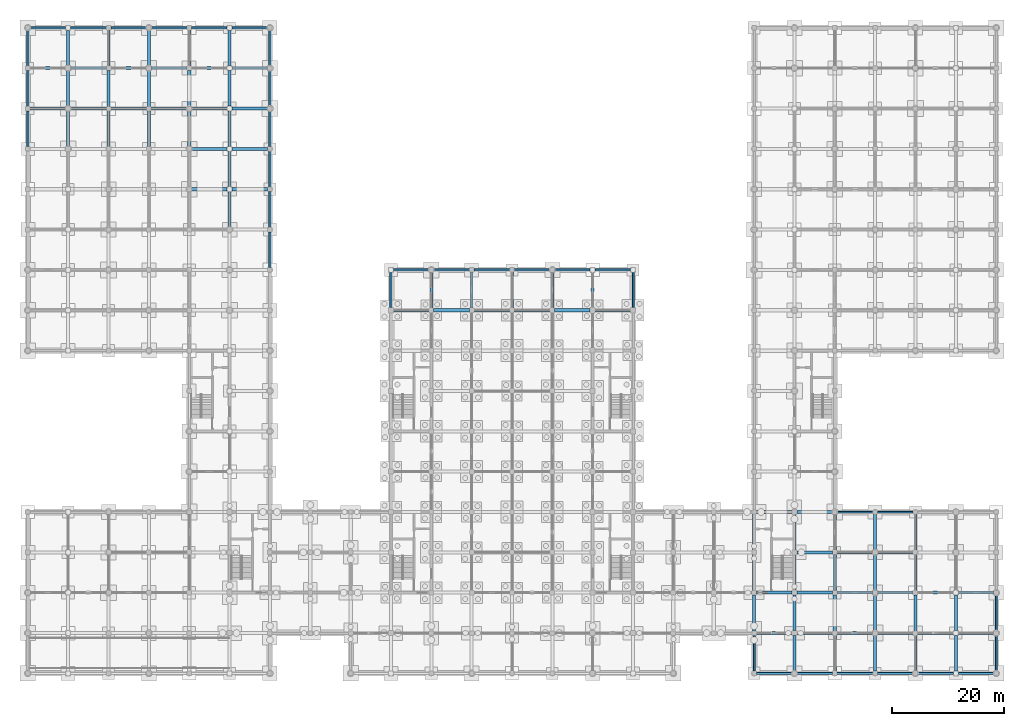
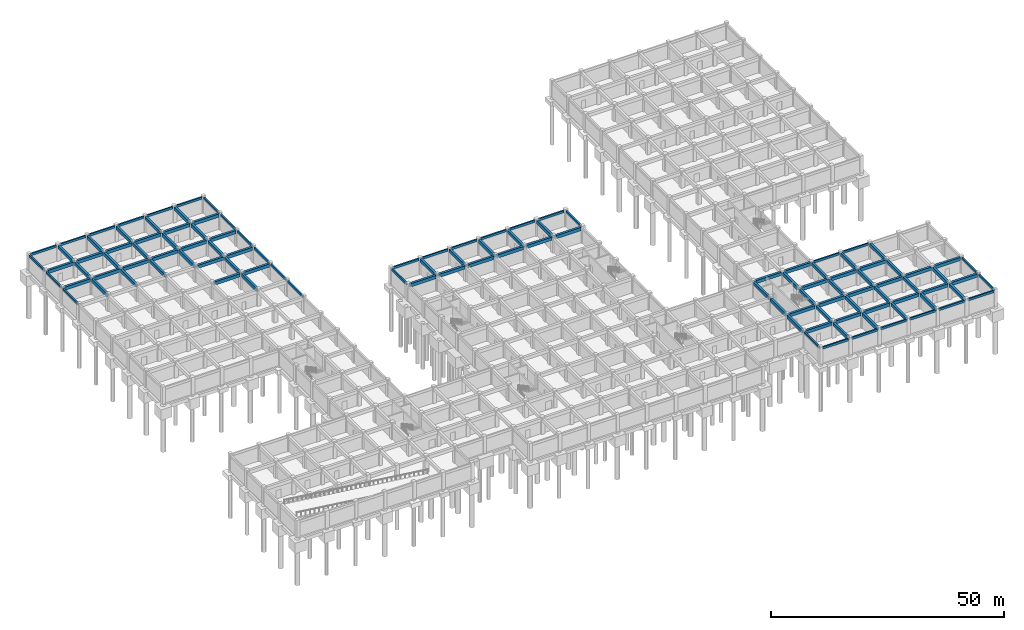
# One storey, part 11 of 25: 116 beams.
"""IFC4 building model written with IfcOpenShell, lengths in metres."""

from ifc_helpers import new_model, si_unit, direction, frame, origin, origin_2d, place, context, subcontext, project, spatial, rectangle, extrude, material, material_profile, profile_set, type_object, element, save


model = new_model("IFC4")

# Units and contexts
model_context = context("Model", 3, precision=1e-05, world=origin(), true_north=direction((0.0, 1.0)))
body_context = subcontext(model_context, "Body", "Model", "MODEL_VIEW")
ifc_project = project(units=[si_unit("LENGTHUNIT", "METRE"), si_unit("AREAUNIT", "SQUARE_METRE"), si_unit("VOLUMEUNIT", "CUBIC_METRE"), si_unit("PLANEANGLEUNIT", "RADIAN"), si_unit("MASSUNIT", "GRAM", prefix="KILO")], contexts=[model_context])

# Site, building, storey
site_placement = place(None, origin())
site = spatial("IfcSite", under=ifc_project, at=site_placement, CompositionType="ELEMENT")
building_placement = place(site_placement, origin())
building = spatial("IfcBuilding", under=site, at=building_placement, Name="Cendaluz Park School", CompositionType="ELEMENT")
storey_placement = place(building_placement, frame((0.0, 0.0, -4.5)))
storey = spatial("IfcBuildingStorey", under=building, at=storey_placement, Name="B1", CompositionType="ELEMENT", Elevation=-4.5)

# Beams
ifc_material = material(Name="Concrete C40/50", Category="concrete")
ifc_material_profile_1 = material_profile(ifc_material, rectangle(XDim=0.550048828125, YDim=0.85009765625, at=origin_2d()), Name="RC 550x850", Category="concrete")
ifc_profile_set_1 = profile_set([ifc_material_profile_1], Name="Concrete C40/50")
beam_type_1 = type_object("IfcBeamType", Name="BM-RC01", PredefinedType="BEAM", material=ifc_profile_set_1)
for number, where, z_axis, x_axis, name in (
    (1, (0.39990234375, 100.800048828125, 3.72509765625), (1.0, 0.0, 0.0), (0.0, 1.0, 0.0), "BM-B1-BMRC01-0012"),
    (2, (0.39990234375, 108.0, 3.72509765625), (1.0, 0.0, 0.0), (0.0, 1.0, 0.0), "BM-B1-BMRC01-0013"),
    (3, (7.64990234375, 100.800048828125, 3.72509765625), (1.0, 0.0, 0.0), (0.0, 1.0, 0.0), "BM-B1-BMRC01-0026"),
    (4, (7.64990234375, 108.0, 3.72509765625), (1.0, 0.0, 0.0), (0.0, 1.0, 0.0), "BM-B1-BMRC01-0027"),
):
    element("IfcBeam", number, at=place(storey_placement, frame(where, z_axis=z_axis, x_axis=x_axis)), inside=storey, type_object=beam_type_1, Name=name, PredefinedType="BEAM", context=body_context, shape_type="SweptSolid", body=[
        extrude(rectangle(XDim=0.550048828125, YDim=0.85009765625, at=origin_2d()), origin(), (0.0, 0.0, 1.0), 6.35009765625),
    ])
for number, where, z_axis, x_axis, name in (
    (5, (14.800048828125, 100.800048828125, 3.72509765625), (1.0, 0.0, 0.0), (0.0, 1.0, 0.0), "BM-B1-BMRC01-0040"),
    (6, (14.800048828125, 108.0, 3.72509765625), (1.0, 0.0, 0.0), (0.0, 1.0, 0.0), "BM-B1-BMRC01-0041"),
    (7, (22.0, 100.800048828125, 3.72509765625), (1.0, 0.0, 0.0), (0.0, 1.0, 0.0), "BM-B1-BMRC01-0054"),
    (8, (22.0, 108.0, 3.72509765625), (1.0, 0.0, 0.0), (0.0, 1.0, 0.0), "BM-B1-BMRC01-0055"),
):
    element("IfcBeam", number, at=place(storey_placement, frame(where, z_axis=z_axis, x_axis=x_axis)), inside=storey, type_object=beam_type_1, Name=name, PredefinedType="BEAM", context=body_context, shape_type="SweptSolid", body=[
        extrude(rectangle(XDim=0.550048828125, YDim=0.85009765625, at=origin_2d()), origin(), (0.0, 0.0, 1.0), 6.39990234375),
    ])
for number, where, z_axis, x_axis, name in (
    (9, (29.199951171875, 86.39990234375, 3.72509765625), (1.0, 0.0, 0.0), (0.0, 1.0, 0.0), "BM-B1-BMRC01-0068"),
    (10, (29.199951171875, 93.60009765625, 3.72509765625), (1.0, 0.0, 0.0), (0.0, 1.0, 0.0), "BM-B1-BMRC01-0069"),
    (11, (29.199951171875, 100.800048828125, 3.72509765625), (1.0, 0.0, 0.0), (0.0, 1.0, 0.0), "BM-B1-BMRC01-0070"),
    (12, (29.199951171875, 108.0, 3.72509765625), (1.0, 0.0, 0.0), (0.0, 1.0, 0.0), "BM-B1-BMRC01-0071"),
    (13, (36.449951171875, 86.39990234375, 3.72509765625), (1.0, 0.0, 0.0), (0.0, 1.0, 0.0), "BM-B1-BMRC01-0084"),
    (14, (36.449951171875, 93.60009765625, 3.72509765625), (1.0, 0.0, 0.0), (0.0, 1.0, 0.0), "BM-B1-BMRC01-0085"),
    (15, (36.449951171875, 100.800048828125, 3.72509765625), (1.0, 0.0, 0.0), (0.0, 1.0, 0.0), "BM-B1-BMRC01-0086"),
    (16, (36.449951171875, 108.0, 3.72509765625), (1.0, 0.0, 0.0), (0.0, 1.0, 0.0), "BM-B1-BMRC01-0087"),
    (17, (65.25, 64.800048828125, 3.72509765625), (1.0, 0.0, 0.0), (0.0, 1.0, 0.0), "BM-B1-BMRC01-0109"),
):
    element("IfcBeam", number, at=place(storey_placement, frame(where, z_axis=z_axis, x_axis=x_axis)), inside=storey, type_object=beam_type_1, Name=name, PredefinedType="BEAM", context=body_context, shape_type="SweptSolid", body=[
        extrude(rectangle(XDim=0.550048828125, YDim=0.85009765625, at=origin_2d()), origin(), (0.0, 0.0, 1.0), 6.35009765625),
    ])
beam_1_placement = place(storey_placement, frame((72.39990234375, 64.800048828125, 3.72509765625), z_axis=(1.0, 0.0, 0.0), x_axis=(0.0, 1.0, 0.0)))
element("IfcBeam", 18, at=beam_1_placement, inside=storey, type_object=beam_type_1, Name="BM-B1-BMRC01-0120", PredefinedType="BEAM", context=body_context, shape_type="SweptSolid", body=[
    extrude(rectangle(XDim=0.550048828125, YDim=0.85009765625, at=origin_2d()), origin(), (0.0, 0.0, 1.0), 6.400146484375),
])
for number, where, z_axis, x_axis, name in (
    (19, (79.60009765625, 64.800048828125, 3.72509765625), (1.0, 0.0, 0.0), (0.0, 1.0, 0.0), "BM-B1-BMRC01-0131"),
    (20, (86.800048828125, 64.800048828125, 3.72509765625), (1.0, 0.0, 0.0), (0.0, 1.0, 0.0), "BM-B1-BMRC01-0142"),
):
    element("IfcBeam", number, at=place(storey_placement, frame(where, z_axis=z_axis, x_axis=x_axis)), inside=storey, type_object=beam_type_1, Name=name, PredefinedType="BEAM", context=body_context, shape_type="SweptSolid", body=[
        extrude(rectangle(XDim=0.550048828125, YDim=0.85009765625, at=origin_2d()), origin(), (0.0, 0.0, 1.0), 6.39990234375),
    ])
beam_2_placement = place(storey_placement, frame((94.0, 64.800048828125, 3.72509765625), z_axis=(1.0, 0.0, 0.0), x_axis=(0.0, 1.0, 0.0)))
element("IfcBeam", 21, at=beam_2_placement, inside=storey, type_object=beam_type_1, Name="BM-B1-BMRC01-0153", PredefinedType="BEAM", context=body_context, shape_type="SweptSolid", body=[
    extrude(rectangle(XDim=0.550048828125, YDim=0.85009765625, at=origin_2d()), origin(), (0.0, 0.0, 1.0), 6.35009765625),
])
beam_3_placement = place(storey_placement, frame((101.25, 64.800048828125, 3.72509765625), z_axis=(1.0, 0.0, 0.0), x_axis=(0.0, 1.0, 0.0)))
element("IfcBeam", 22, at=beam_3_placement, inside=storey, type_object=beam_type_1, Name="BM-B1-BMRC01-0162", PredefinedType="BEAM", context=body_context, shape_type="SweptSolid", body=[
    extrude(rectangle(XDim=0.550048828125, YDim=0.85009765625, at=origin_2d()), origin(), (0.0, 0.0, 1.0), 6.300048828125),
])
for number, where, z_axis, x_axis, name in (
    (23, (130.0, 7.199951171875, 3.72509765625), (1.0, 0.0, 0.0), (0.0, 1.0, 0.0), "BM-B1-BMRC01-0178"),
    (24, (130.0, 14.39990234375, 3.72509765625), (1.0, 0.0, 0.0), (0.0, 1.0, 0.0), "BM-B1-BMRC01-0179"),
    (25, (130.0, 28.800048828125, 3.72509765625), (1.0, 0.0, 0.0), (0.0, 1.0, 0.0), "BM-B1-BMRC01-0180"),
    (26, (137.25, 7.199951171875, 3.72509765625), (1.0, 0.0, 0.0), (0.0, 1.0, 0.0), "BM-B1-BMRC01-0194"),
    (27, (137.25, 14.39990234375, 3.72509765625), (1.0, 0.0, 0.0), (0.0, 1.0, 0.0), "BM-B1-BMRC01-0195"),
    (28, (137.25, 21.60009765625, 3.72509765625), (1.0, 0.0, 0.0), (0.0, 1.0, 0.0), "BM-B1-BMRC01-0196"),
    (29, (137.25, 28.800048828125, 3.72509765625), (1.0, 0.0, 0.0), (0.0, 1.0, 0.0), "BM-B1-BMRC01-0197"),
):
    element("IfcBeam", number, at=place(storey_placement, frame(where, z_axis=z_axis, x_axis=x_axis)), inside=storey, type_object=beam_type_1, Name=name, PredefinedType="BEAM", context=body_context, shape_type="SweptSolid", body=[
        extrude(rectangle(XDim=0.550048828125, YDim=0.85009765625, at=origin_2d()), origin(), (0.0, 0.0, 1.0), 6.35009765625),
    ])
for number, where, z_axis, x_axis, name in (
    (30, (144.39990234375, 7.199951171875, 3.72509765625), (1.0, 0.0, 0.0), (0.0, 1.0, 0.0), "BM-B1-BMRC01-0210"),
    (31, (144.39990234375, 14.39990234375, 3.72509765625), (1.0, 0.0, 0.0), (0.0, 1.0, 0.0), "BM-B1-BMRC01-0211"),
    (32, (144.39990234375, 21.60009765625, 3.72509765625), (1.0, 0.0, 0.0), (0.0, 1.0, 0.0), "BM-B1-BMRC01-0212"),
):
    element("IfcBeam", number, at=place(storey_placement, frame(where, z_axis=z_axis, x_axis=x_axis)), inside=storey, type_object=beam_type_1, Name=name, PredefinedType="BEAM", context=body_context, shape_type="SweptSolid", body=[
        extrude(rectangle(XDim=0.550048828125, YDim=0.85009765625, at=origin_2d()), origin(), (0.0, 0.0, 1.0), 6.400146484375),
    ])
for number, where, z_axis, x_axis, name in (
    (33, (151.60009765625, 7.199951171875, 3.72509765625), (1.0, 0.0, 0.0), (0.0, 1.0, 0.0), "BM-B1-BMRC01-0224"),
    (34, (151.60009765625, 14.39990234375, 3.72509765625), (1.0, 0.0, 0.0), (0.0, 1.0, 0.0), "BM-B1-BMRC01-0225"),
    (35, (151.60009765625, 21.60009765625, 3.72509765625), (1.0, 0.0, 0.0), (0.0, 1.0, 0.0), "BM-B1-BMRC01-0226"),
):
    element("IfcBeam", number, at=place(storey_placement, frame(where, z_axis=z_axis, x_axis=x_axis)), inside=storey, type_object=beam_type_1, Name=name, PredefinedType="BEAM", context=body_context, shape_type="SweptSolid", body=[
        extrude(rectangle(XDim=0.550048828125, YDim=0.85009765625, at=origin_2d()), origin(), (0.0, 0.0, 1.0), 6.39990234375),
    ])
for number, where, z_axis, x_axis, name in (
    (36, (158.800048828125, 7.199951171875, 3.72509765625), (1.0, 0.0, 0.0), (0.0, 1.0, 0.0), "BM-B1-BMRC01-0238"),
    (37, (158.800048828125, 14.39990234375, 3.72509765625), (1.0, 0.0, 0.0), (0.0, 1.0, 0.0), "BM-B1-BMRC01-0239"),
    (38, (166.050048828125, 7.199951171875, 3.72509765625), (1.0, 0.0, 0.0), (0.0, 1.0, 0.0), "BM-B1-BMRC01-0252"),
    (39, (166.050048828125, 14.39990234375, 3.72509765625), (1.0, 0.0, 0.0), (0.0, 1.0, 0.0), "BM-B1-BMRC01-0253"),
):
    element("IfcBeam", number, at=place(storey_placement, frame(where, z_axis=z_axis, x_axis=x_axis)), inside=storey, type_object=beam_type_1, Name=name, PredefinedType="BEAM", context=body_context, shape_type="SweptSolid", body=[
        extrude(rectangle(XDim=0.550048828125, YDim=0.85009765625, at=origin_2d()), origin(), (0.0, 0.0, 1.0), 6.349853515625),
    ])
for number, where, z_axis, x_axis, name in (
    (40, (7.199951171875, 94.050048828125, 3.72509765625), (0.0, 1.0, 0.0), (-1.0, 0.0, 0.0), "BM-B1-BMRC01-0285"),
    (41, (7.199951171875, 101.25, 3.72509765625), (0.0, 1.0, 0.0), (-1.0, 0.0, 0.0), "BM-B1-BMRC01-0286"),
    (42, (7.199951171875, 108.449951171875, 3.72509765625), (0.0, 1.0, 0.0), (-1.0, 0.0, 0.0), "BM-B1-BMRC01-0287"),
):
    element("IfcBeam", number, at=place(storey_placement, frame(where, z_axis=z_axis, x_axis=x_axis)), inside=storey, type_object=beam_type_1, Name=name, PredefinedType="BEAM", context=body_context, shape_type="SweptSolid", body=[
        extrude(rectangle(XDim=0.550048828125, YDim=0.85009765625, at=origin_2d()), origin(), (0.0, 0.0, 1.0), 6.300048828125),
    ])
beam_4_placement = place(storey_placement, frame((14.39990234375, 94.0, 3.72509765625), z_axis=(0.0, 1.0, 0.0), x_axis=(-1.0, 0.0, 0.0)))
element("IfcBeam", 43, at=beam_4_placement, inside=storey, type_object=beam_type_1, Name="BM-B1-BMRC01-0297", PredefinedType="BEAM", context=body_context, shape_type="SweptSolid", body=[
    extrude(rectangle(XDim=0.550048828125, YDim=0.85009765625, at=origin_2d()), origin(), (0.0, 0.0, 1.0), 6.39990234375),
])
for number, where, z_axis, x_axis, name in (
    (44, (14.39990234375, 101.199951171875, 3.72509765625), (0.0, 1.0, 0.0), (-1.0, 0.0, 0.0), "BM-B1-BMRC01-0298"),
    (45, (14.39990234375, 108.39990234375, 3.72509765625), (0.0, 1.0, 0.0), (-1.0, 0.0, 0.0), "BM-B1-BMRC01-0299"),
):
    element("IfcBeam", number, at=place(storey_placement, frame(where, z_axis=z_axis, x_axis=x_axis)), inside=storey, type_object=beam_type_1, Name=name, PredefinedType="BEAM", context=body_context, shape_type="SweptSolid", body=[
        extrude(rectangle(XDim=0.550048828125, YDim=0.85009765625, at=origin_2d()), origin(), (0.0, 0.0, 1.0), 6.400146484375),
    ])
beam_5_placement = place(storey_placement, frame((21.60009765625, 94.0, 3.72509765625), z_axis=(0.0, 1.0, 0.0), x_axis=(-1.0, 0.0, 0.0)))
element("IfcBeam", 46, at=beam_5_placement, inside=storey, type_object=beam_type_1, Name="BM-B1-BMRC01-0309", PredefinedType="BEAM", context=body_context, shape_type="SweptSolid", body=[
    extrude(rectangle(XDim=0.550048828125, YDim=0.85009765625, at=origin_2d()), origin(), (0.0, 0.0, 1.0), 6.39990234375),
])
for number, where, z_axis, x_axis, name in (
    (47, (21.60009765625, 101.199951171875, 3.72509765625), (0.0, 1.0, 0.0), (-1.0, 0.0, 0.0), "BM-B1-BMRC01-0310"),
    (48, (21.60009765625, 108.39990234375, 3.72509765625), (0.0, 1.0, 0.0), (-1.0, 0.0, 0.0), "BM-B1-BMRC01-0311"),
):
    element("IfcBeam", number, at=place(storey_placement, frame(where, z_axis=z_axis, x_axis=x_axis)), inside=storey, type_object=beam_type_1, Name=name, PredefinedType="BEAM", context=body_context, shape_type="SweptSolid", body=[
        extrude(rectangle(XDim=0.550048828125, YDim=0.85009765625, at=origin_2d()), origin(), (0.0, 0.0, 1.0), 6.400146484375),
    ])
beam_6_placement = place(storey_placement, frame((28.800048828125, 94.0, 3.72509765625), z_axis=(0.0, 1.0, 0.0), x_axis=(-1.0, 0.0, 0.0)))
element("IfcBeam", 49, at=beam_6_placement, inside=storey, type_object=beam_type_1, Name="BM-B1-BMRC01-0325", PredefinedType="BEAM", context=body_context, shape_type="SweptSolid", body=[
    extrude(rectangle(XDim=0.550048828125, YDim=0.85009765625, at=origin_2d()), origin(), (0.0, 0.0, 1.0), 6.39990234375),
])
for number, where, z_axis, x_axis, name in (
    (50, (28.800048828125, 101.199951171875, 3.72509765625), (0.0, 1.0, 0.0), (-1.0, 0.0, 0.0), "BM-B1-BMRC01-0326"),
    (51, (28.800048828125, 108.39990234375, 3.72509765625), (0.0, 1.0, 0.0), (-1.0, 0.0, 0.0), "BM-B1-BMRC01-0327"),
):
    element("IfcBeam", number, at=place(storey_placement, frame(where, z_axis=z_axis, x_axis=x_axis)), inside=storey, type_object=beam_type_1, Name=name, PredefinedType="BEAM", context=body_context, shape_type="SweptSolid", body=[
        extrude(rectangle(XDim=0.550048828125, YDim=0.85009765625, at=origin_2d()), origin(), (0.0, 0.0, 1.0), 6.400146484375),
    ])
beam_7_placement = place(storey_placement, frame((36.0, 79.64990234375, 3.72509765625), z_axis=(0.0, 1.0, 0.0), x_axis=(-1.0, 0.0, 0.0)))
element("IfcBeam", 52, at=beam_7_placement, inside=storey, type_object=beam_type_1, Name="BM-B1-BMRC01-0339", PredefinedType="BEAM", context=body_context, shape_type="SweptSolid", body=[
    extrude(rectangle(XDim=0.550048828125, YDim=0.85009765625, at=origin_2d()), origin(), (0.0, 0.0, 1.0), 6.300048828125),
])
beam_8_placement = place(storey_placement, frame((36.0, 86.85009765625, 3.72509765625), z_axis=(0.0, 1.0, 0.0), x_axis=(-1.0, 0.0, 0.0)))
element("IfcBeam", 53, at=beam_8_placement, inside=storey, type_object=beam_type_1, Name="BM-B1-BMRC01-0340", PredefinedType="BEAM", context=body_context, shape_type="SweptSolid", body=[
    extrude(rectangle(XDim=0.550048828125, YDim=0.85009765625, at=origin_2d()), origin(), (0.0, 0.0, 1.0), 6.2998046875),
])
for number, where, z_axis, x_axis, name in (
    (54, (36.0, 94.050048828125, 3.72509765625), (0.0, 1.0, 0.0), (-1.0, 0.0, 0.0), "BM-B1-BMRC01-0341"),
    (55, (36.0, 101.25, 3.72509765625), (0.0, 1.0, 0.0), (-1.0, 0.0, 0.0), "BM-B1-BMRC01-0342"),
    (56, (36.0, 108.449951171875, 3.72509765625), (0.0, 1.0, 0.0), (-1.0, 0.0, 0.0), "BM-B1-BMRC01-0343"),
):
    element("IfcBeam", number, at=place(storey_placement, frame(where, z_axis=z_axis, x_axis=x_axis)), inside=storey, type_object=beam_type_1, Name=name, PredefinedType="BEAM", context=body_context, shape_type="SweptSolid", body=[
        extrude(rectangle(XDim=0.550048828125, YDim=0.85009765625, at=origin_2d()), origin(), (0.0, 0.0, 1.0), 6.300048828125),
    ])
for number, where, z_axis, x_axis, name in (
    (57, (72.0, 65.199951171875, 3.72509765625), (0.0, 1.0, 0.0), (-1.0, 0.0, 0.0), "BM-B1-BMRC01-0386"),
    (58, (79.199951171875, 65.199951171875, 3.72509765625), (0.0, 1.0, 0.0), (-1.0, 0.0, 0.0), "BM-B1-BMRC01-0396"),
    (59, (86.39990234375, 65.199951171875, 3.72509765625), (0.0, 1.0, 0.0), (-1.0, 0.0, 0.0), "BM-B1-BMRC01-0406"),
    (60, (93.60009765625, 65.199951171875, 3.72509765625), (0.0, 1.0, 0.0), (-1.0, 0.0, 0.0), "BM-B1-BMRC01-0416"),
):
    element("IfcBeam", number, at=place(storey_placement, frame(where, z_axis=z_axis, x_axis=x_axis)), inside=storey, type_object=beam_type_1, Name=name, PredefinedType="BEAM", context=body_context, shape_type="SweptSolid", body=[
        extrude(rectangle(XDim=0.550048828125, YDim=0.85009765625, at=origin_2d()), origin(), (0.0, 0.0, 1.0), 6.400146484375),
    ])
beam_9_placement = place(storey_placement, frame((100.800048828125, 65.25, 3.72509765625), z_axis=(0.0, 1.0, 0.0), x_axis=(-1.0, 0.0, 0.0)))
element("IfcBeam", 61, at=beam_9_placement, inside=storey, type_object=beam_type_1, Name="BM-B1-BMRC01-0426", PredefinedType="BEAM", context=body_context, shape_type="SweptSolid", body=[
    extrude(rectangle(XDim=0.550048828125, YDim=0.85009765625, at=origin_2d()), origin(), (0.0, 0.0, 1.0), 6.300048828125),
])
for number, where, z_axis, x_axis, name in (
    (62, (129.60009765625, 7.60009765625, 3.72509765625), (0.0, 1.0, 0.0), (-1.0, 0.0, 0.0), "BM-B1-BMRC01-0445"),
    (63, (129.60009765625, 14.800048828125, 3.72509765625), (0.0, 1.0, 0.0), (-1.0, 0.0, 0.0), "BM-B1-BMRC01-0446"),
    (64, (129.60009765625, 22.0, 3.72509765625), (0.0, 1.0, 0.0), (-1.0, 0.0, 0.0), "BM-B1-BMRC01-0447"),
):
    element("IfcBeam", number, at=place(storey_placement, frame(where, z_axis=z_axis, x_axis=x_axis)), inside=storey, type_object=beam_type_1, Name=name, PredefinedType="BEAM", context=body_context, shape_type="SweptSolid", body=[
        extrude(rectangle(XDim=0.550048828125, YDim=0.85009765625, at=origin_2d()), origin(), (0.0, 0.0, 1.0), 6.39990234375),
    ])
for number, where, z_axis, x_axis, name in (
    (65, (136.800048828125, 0.449951171875, 3.72509765625), (0.0, 1.0, 0.0), (-1.0, 0.0, 0.0), "BM-B1-BMRC01-0460"),
    (66, (136.800048828125, 7.64990234375, 3.72509765625), (0.0, 1.0, 0.0), (-1.0, 0.0, 0.0), "BM-B1-BMRC01-0461"),
):
    element("IfcBeam", number, at=place(storey_placement, frame(where, z_axis=z_axis, x_axis=x_axis)), inside=storey, type_object=beam_type_1, Name=name, PredefinedType="BEAM", context=body_context, shape_type="SweptSolid", body=[
        extrude(rectangle(XDim=0.550048828125, YDim=0.85009765625, at=origin_2d()), origin(), (0.0, 0.0, 1.0), 6.300048828125),
    ])
beam_10_placement = place(storey_placement, frame((136.800048828125, 14.85009765625, 3.72509765625), z_axis=(0.0, 1.0, 0.0), x_axis=(-1.0, 0.0, 0.0)))
element("IfcBeam", 67, at=beam_10_placement, inside=storey, type_object=beam_type_1, Name="BM-B1-BMRC01-0462", PredefinedType="BEAM", context=body_context, shape_type="SweptSolid", body=[
    extrude(rectangle(XDim=0.550048828125, YDim=0.85009765625, at=origin_2d()), origin(), (0.0, 0.0, 1.0), 6.2998046875),
])
beam_11_placement = place(storey_placement, frame((136.800048828125, 22.050048828125, 3.72509765625), z_axis=(0.0, 1.0, 0.0), x_axis=(-1.0, 0.0, 0.0)))
element("IfcBeam", 68, at=beam_11_placement, inside=storey, type_object=beam_type_1, Name="BM-B1-BMRC01-0463", PredefinedType="BEAM", context=body_context, shape_type="SweptSolid", body=[
    extrude(rectangle(XDim=0.550048828125, YDim=0.85009765625, at=origin_2d()), origin(), (0.0, 0.0, 1.0), 6.300048828125),
])
beam_12_placement = place(storey_placement, frame((144.0, 0.39990234375, 3.72509765625), z_axis=(0.0, 1.0, 0.0), x_axis=(-1.0, 0.0, 0.0)))
element("IfcBeam", 69, at=beam_12_placement, inside=storey, type_object=beam_type_1, Name="BM-B1-BMRC01-0476", PredefinedType="BEAM", context=body_context, shape_type="SweptSolid", body=[
    extrude(rectangle(XDim=0.550048828125, YDim=0.85009765625, at=origin_2d()), origin(), (0.0, 0.0, 1.0), 6.400146484375),
])
for number, where, z_axis, x_axis, name in (
    (70, (144.0, 7.60009765625, 3.72509765625), (0.0, 1.0, 0.0), (-1.0, 0.0, 0.0), "BM-B1-BMRC01-0477"),
    (71, (144.0, 14.800048828125, 3.72509765625), (0.0, 1.0, 0.0), (-1.0, 0.0, 0.0), "BM-B1-BMRC01-0478"),
    (72, (144.0, 22.0, 3.72509765625), (0.0, 1.0, 0.0), (-1.0, 0.0, 0.0), "BM-B1-BMRC01-0479"),
):
    element("IfcBeam", number, at=place(storey_placement, frame(where, z_axis=z_axis, x_axis=x_axis)), inside=storey, type_object=beam_type_1, Name=name, PredefinedType="BEAM", context=body_context, shape_type="SweptSolid", body=[
        extrude(rectangle(XDim=0.550048828125, YDim=0.85009765625, at=origin_2d()), origin(), (0.0, 0.0, 1.0), 6.39990234375),
    ])
beam_13_placement = place(storey_placement, frame((151.199951171875, 0.39990234375, 3.72509765625), z_axis=(0.0, 1.0, 0.0), x_axis=(-1.0, 0.0, 0.0)))
element("IfcBeam", 73, at=beam_13_placement, inside=storey, type_object=beam_type_1, Name="BM-B1-BMRC01-0492", PredefinedType="BEAM", context=body_context, shape_type="SweptSolid", body=[
    extrude(rectangle(XDim=0.550048828125, YDim=0.85009765625, at=origin_2d()), origin(), (0.0, 0.0, 1.0), 6.400146484375),
])
for number, where, z_axis, x_axis, name in (
    (74, (151.199951171875, 7.60009765625, 3.72509765625), (0.0, 1.0, 0.0), (-1.0, 0.0, 0.0), "BM-B1-BMRC01-0493"),
    (75, (151.199951171875, 14.800048828125, 3.72509765625), (0.0, 1.0, 0.0), (-1.0, 0.0, 0.0), "BM-B1-BMRC01-0494"),
    (76, (151.199951171875, 22.0, 3.72509765625), (0.0, 1.0, 0.0), (-1.0, 0.0, 0.0), "BM-B1-BMRC01-0495"),
):
    element("IfcBeam", number, at=place(storey_placement, frame(where, z_axis=z_axis, x_axis=x_axis)), inside=storey, type_object=beam_type_1, Name=name, PredefinedType="BEAM", context=body_context, shape_type="SweptSolid", body=[
        extrude(rectangle(XDim=0.550048828125, YDim=0.85009765625, at=origin_2d()), origin(), (0.0, 0.0, 1.0), 6.39990234375),
    ])
beam_14_placement = place(storey_placement, frame((158.39990234375, 0.39990234375, 3.72509765625), z_axis=(0.0, 1.0, 0.0), x_axis=(-1.0, 0.0, 0.0)))
element("IfcBeam", 77, at=beam_14_placement, inside=storey, type_object=beam_type_1, Name="BM-B1-BMRC01-0504", PredefinedType="BEAM", context=body_context, shape_type="SweptSolid", body=[
    extrude(rectangle(XDim=0.550048828125, YDim=0.85009765625, at=origin_2d()), origin(), (0.0, 0.0, 1.0), 6.400146484375),
])
for number, where, z_axis, x_axis, name in (
    (78, (158.39990234375, 7.60009765625, 3.72509765625), (0.0, 1.0, 0.0), (-1.0, 0.0, 0.0), "BM-B1-BMRC01-0505"),
    (79, (158.39990234375, 14.800048828125, 3.72509765625), (0.0, 1.0, 0.0), (-1.0, 0.0, 0.0), "BM-B1-BMRC01-0506"),
    (80, (158.39990234375, 22.0, 3.72509765625), (0.0, 1.0, 0.0), (-1.0, 0.0, 0.0), "BM-B1-BMRC01-0507"),
):
    element("IfcBeam", number, at=place(storey_placement, frame(where, z_axis=z_axis, x_axis=x_axis)), inside=storey, type_object=beam_type_1, Name=name, PredefinedType="BEAM", context=body_context, shape_type="SweptSolid", body=[
        extrude(rectangle(XDim=0.550048828125, YDim=0.85009765625, at=origin_2d()), origin(), (0.0, 0.0, 1.0), 6.39990234375),
    ])
for number, where, z_axis, x_axis, name in (
    (81, (165.60009765625, 0.449951171875, 3.72509765625), (0.0, 1.0, 0.0), (-1.0, 0.0, 0.0), "BM-B1-BMRC01-0516"),
    (82, (165.60009765625, 7.64990234375, 3.72509765625), (0.0, 1.0, 0.0), (-1.0, 0.0, 0.0), "BM-B1-BMRC01-0517"),
):
    element("IfcBeam", number, at=place(storey_placement, frame(where, z_axis=z_axis, x_axis=x_axis)), inside=storey, type_object=beam_type_1, Name=name, PredefinedType="BEAM", context=body_context, shape_type="SweptSolid", body=[
        extrude(rectangle(XDim=0.550048828125, YDim=0.85009765625, at=origin_2d()), origin(), (0.0, 0.0, 1.0), 6.300048828125),
    ])
ifc_material_profile_2 = material_profile(ifc_material, rectangle(XDim=0.35009765625, YDim=0.580078125, at=origin_2d()), Name="RC 350x580", Category="concrete")
ifc_profile_set_2 = profile_set([ifc_material_profile_2], Name="Concrete C40/50")
beam_type_2 = type_object("IfcBeamType", Name="BM-RC04", PredefinedType="LINTEL", material=ifc_profile_set_2)
for number, where, z_axis, x_axis, name in (
    (83, (0.39990234375, 115.199951171875, 3.860107421875), (1.0, 0.0, 0.0), (0.0, 1.0, 0.0), "BM-B1-BMRC04-0014"),
    (84, (7.64990234375, 115.199951171875, 3.860107421875), (1.0, 0.0, 0.0), (0.0, 1.0, 0.0), "BM-B1-BMRC04-0028"),
):
    element("IfcBeam", number, at=place(storey_placement, frame(where, z_axis=z_axis, x_axis=x_axis)), inside=storey, type_object=beam_type_2, Name=name, PredefinedType="LINTEL", context=body_context, shape_type="SweptSolid", body=[
        extrude(rectangle(XDim=0.35009765625, YDim=0.580078125, at=origin_2d()), origin(), (0.0, 0.0, 1.0), 6.35009765625),
    ])
for number, where, z_axis, x_axis, name in (
    (85, (14.800048828125, 115.199951171875, 3.860107421875), (1.0, 0.0, 0.0), (0.0, 1.0, 0.0), "BM-B1-BMRC04-0042"),
    (86, (22.0, 115.199951171875, 3.860107421875), (1.0, 0.0, 0.0), (0.0, 1.0, 0.0), "BM-B1-BMRC04-0056"),
):
    element("IfcBeam", number, at=place(storey_placement, frame(where, z_axis=z_axis, x_axis=x_axis)), inside=storey, type_object=beam_type_2, Name=name, PredefinedType="LINTEL", context=body_context, shape_type="SweptSolid", body=[
        extrude(rectangle(XDim=0.35009765625, YDim=0.580078125, at=origin_2d()), origin(), (0.0, 0.0, 1.0), 6.39990234375),
    ])
for number, where, z_axis, x_axis, name in (
    (87, (29.199951171875, 115.199951171875, 3.860107421875), (1.0, 0.0, 0.0), (0.0, 1.0, 0.0), "BM-B1-BMRC04-0072"),
    (88, (36.449951171875, 115.199951171875, 3.860107421875), (1.0, 0.0, 0.0), (0.0, 1.0, 0.0), "BM-B1-BMRC04-0088"),
    (89, (65.25, 72.0, 3.860107421875), (1.0, 0.0, 0.0), (0.0, 1.0, 0.0), "BM-B1-BMRC04-0110"),
):
    element("IfcBeam", number, at=place(storey_placement, frame(where, z_axis=z_axis, x_axis=x_axis)), inside=storey, type_object=beam_type_2, Name=name, PredefinedType="LINTEL", context=body_context, shape_type="SweptSolid", body=[
        extrude(rectangle(XDim=0.35009765625, YDim=0.580078125, at=origin_2d()), origin(), (0.0, 0.0, 1.0), 6.35009765625),
    ])
beam_15_placement = place(storey_placement, frame((72.39990234375, 72.0, 3.860107421875), z_axis=(1.0, 0.0, 0.0), x_axis=(0.0, 1.0, 0.0)))
element("IfcBeam", 90, at=beam_15_placement, inside=storey, type_object=beam_type_2, Name="BM-B1-BMRC04-0121", PredefinedType="LINTEL", context=body_context, shape_type="SweptSolid", body=[
    extrude(rectangle(XDim=0.35009765625, YDim=0.580078125, at=origin_2d()), origin(), (0.0, 0.0, 1.0), 6.400146484375),
])
for number, where, z_axis, x_axis, name in (
    (91, (79.60009765625, 72.0, 3.860107421875), (1.0, 0.0, 0.0), (0.0, 1.0, 0.0), "BM-B1-BMRC04-0132"),
    (92, (86.800048828125, 72.0, 3.860107421875), (1.0, 0.0, 0.0), (0.0, 1.0, 0.0), "BM-B1-BMRC04-0143"),
):
    element("IfcBeam", number, at=place(storey_placement, frame(where, z_axis=z_axis, x_axis=x_axis)), inside=storey, type_object=beam_type_2, Name=name, PredefinedType="LINTEL", context=body_context, shape_type="SweptSolid", body=[
        extrude(rectangle(XDim=0.35009765625, YDim=0.580078125, at=origin_2d()), origin(), (0.0, 0.0, 1.0), 6.39990234375),
    ])
beam_16_placement = place(storey_placement, frame((94.0, 72.0, 3.860107421875), z_axis=(1.0, 0.0, 0.0), x_axis=(0.0, 1.0, 0.0)))
element("IfcBeam", 93, at=beam_16_placement, inside=storey, type_object=beam_type_2, Name="BM-B1-BMRC04-0154", PredefinedType="LINTEL", context=body_context, shape_type="SweptSolid", body=[
    extrude(rectangle(XDim=0.35009765625, YDim=0.580078125, at=origin_2d()), origin(), (0.0, 0.0, 1.0), 6.35009765625),
])
beam_17_placement = place(storey_placement, frame((101.25, 72.0, 3.860107421875), z_axis=(1.0, 0.0, 0.0), x_axis=(0.0, 1.0, 0.0)))
element("IfcBeam", 94, at=beam_17_placement, inside=storey, type_object=beam_type_2, Name="BM-B1-BMRC04-0163", PredefinedType="LINTEL", context=body_context, shape_type="SweptSolid", body=[
    extrude(rectangle(XDim=0.35009765625, YDim=0.580078125, at=origin_2d()), origin(), (0.0, 0.0, 1.0), 6.300048828125),
])
for number, where, z_axis, x_axis, name in (
    (95, (130.0, 0.0, 3.860107421875), (1.0, 0.0, 0.0), (0.0, 1.0, 0.0), "BM-B1-BMRC04-0177"),
    (96, (137.25, 0.0, 3.860107421875), (1.0, 0.0, 0.0), (0.0, 1.0, 0.0), "BM-B1-BMRC04-0193"),
):
    element("IfcBeam", number, at=place(storey_placement, frame(where, z_axis=z_axis, x_axis=x_axis)), inside=storey, type_object=beam_type_2, Name=name, PredefinedType="LINTEL", context=body_context, shape_type="SweptSolid", body=[
        extrude(rectangle(XDim=0.35009765625, YDim=0.580078125, at=origin_2d()), origin(), (0.0, 0.0, 1.0), 6.35009765625),
    ])
for number, where, z_axis, x_axis, name in (
    (97, (144.39990234375, 0.0, 3.860107421875), (1.0, 0.0, 0.0), (0.0, 1.0, 0.0), "BM-B1-BMRC04-0209"),
    (98, (144.39990234375, 28.800048828125, 3.860107421875), (1.0, 0.0, 0.0), (0.0, 1.0, 0.0), "BM-B1-BMRC04-0213"),
):
    element("IfcBeam", number, at=place(storey_placement, frame(where, z_axis=z_axis, x_axis=x_axis)), inside=storey, type_object=beam_type_2, Name=name, PredefinedType="LINTEL", context=body_context, shape_type="SweptSolid", body=[
        extrude(rectangle(XDim=0.35009765625, YDim=0.580078125, at=origin_2d()), origin(), (0.0, 0.0, 1.0), 6.400146484375),
    ])
for number, where, z_axis, x_axis, name in (
    (99, (151.60009765625, 0.0, 3.860107421875), (1.0, 0.0, 0.0), (0.0, 1.0, 0.0), "BM-B1-BMRC04-0223"),
    (100, (151.60009765625, 28.800048828125, 3.860107421875), (1.0, 0.0, 0.0), (0.0, 1.0, 0.0), "BM-B1-BMRC04-0227"),
):
    element("IfcBeam", number, at=place(storey_placement, frame(where, z_axis=z_axis, x_axis=x_axis)), inside=storey, type_object=beam_type_2, Name=name, PredefinedType="LINTEL", context=body_context, shape_type="SweptSolid", body=[
        extrude(rectangle(XDim=0.35009765625, YDim=0.580078125, at=origin_2d()), origin(), (0.0, 0.0, 1.0), 6.39990234375),
    ])
for number, where, z_axis, x_axis, name in (
    (101, (158.800048828125, 0.0, 3.860107421875), (1.0, 0.0, 0.0), (0.0, 1.0, 0.0), "BM-B1-BMRC04-0237"),
    (102, (166.050048828125, 0.0, 3.860107421875), (1.0, 0.0, 0.0), (0.0, 1.0, 0.0), "BM-B1-BMRC04-0251"),
):
    element("IfcBeam", number, at=place(storey_placement, frame(where, z_axis=z_axis, x_axis=x_axis)), inside=storey, type_object=beam_type_2, Name=name, PredefinedType="LINTEL", context=body_context, shape_type="SweptSolid", body=[
        extrude(rectangle(XDim=0.35009765625, YDim=0.580078125, at=origin_2d()), origin(), (0.0, 0.0, 1.0), 6.349853515625),
    ])
beam_18_placement = place(storey_placement, frame((0.0, 94.0, 3.860107421875), z_axis=(0.0, 1.0, 0.0), x_axis=(-1.0, 0.0, 0.0)))
element("IfcBeam", 103, at=beam_18_placement, inside=storey, type_object=beam_type_2, Name="BM-B1-BMRC04-0273", PredefinedType="LINTEL", context=body_context, shape_type="SweptSolid", body=[
    extrude(rectangle(XDim=0.35009765625, YDim=0.580078125, at=origin_2d()), origin(), (0.0, 0.0, 1.0), 6.39990234375),
])
for number, where, z_axis, x_axis, name in (
    (104, (0.0, 101.199951171875, 3.860107421875), (0.0, 1.0, 0.0), (-1.0, 0.0, 0.0), "BM-B1-BMRC04-0274"),
    (105, (0.0, 108.39990234375, 3.860107421875), (0.0, 1.0, 0.0), (-1.0, 0.0, 0.0), "BM-B1-BMRC04-0275"),
    (106, (43.199951171875, 72.39990234375, 3.860107421875), (0.0, 1.0, 0.0), (-1.0, 0.0, 0.0), "BM-B1-BMRC04-0354"),
):
    element("IfcBeam", number, at=place(storey_placement, frame(where, z_axis=z_axis, x_axis=x_axis)), inside=storey, type_object=beam_type_2, Name=name, PredefinedType="LINTEL", context=body_context, shape_type="SweptSolid", body=[
        extrude(rectangle(XDim=0.35009765625, YDim=0.580078125, at=origin_2d()), origin(), (0.0, 0.0, 1.0), 6.400146484375),
    ])
for number, where, z_axis, x_axis, name in (
    (107, (43.199951171875, 79.60009765625, 3.860107421875), (0.0, 1.0, 0.0), (-1.0, 0.0, 0.0), "BM-B1-BMRC04-0355"),
    (108, (43.199951171875, 86.800048828125, 3.860107421875), (0.0, 1.0, 0.0), (-1.0, 0.0, 0.0), "BM-B1-BMRC04-0356"),
    (109, (43.199951171875, 94.0, 3.860107421875), (0.0, 1.0, 0.0), (-1.0, 0.0, 0.0), "BM-B1-BMRC04-0357"),
):
    element("IfcBeam", number, at=place(storey_placement, frame(where, z_axis=z_axis, x_axis=x_axis)), inside=storey, type_object=beam_type_2, Name=name, PredefinedType="LINTEL", context=body_context, shape_type="SweptSolid", body=[
        extrude(rectangle(XDim=0.35009765625, YDim=0.580078125, at=origin_2d()), origin(), (0.0, 0.0, 1.0), 6.39990234375),
    ])
for number, where, z_axis, x_axis, name in (
    (110, (43.199951171875, 101.199951171875, 3.860107421875), (0.0, 1.0, 0.0), (-1.0, 0.0, 0.0), "BM-B1-BMRC04-0358"),
    (111, (43.199951171875, 108.39990234375, 3.860107421875), (0.0, 1.0, 0.0), (-1.0, 0.0, 0.0), "BM-B1-BMRC04-0359"),
):
    element("IfcBeam", number, at=place(storey_placement, frame(where, z_axis=z_axis, x_axis=x_axis)), inside=storey, type_object=beam_type_2, Name=name, PredefinedType="LINTEL", context=body_context, shape_type="SweptSolid", body=[
        extrude(rectangle(XDim=0.35009765625, YDim=0.580078125, at=origin_2d()), origin(), (0.0, 0.0, 1.0), 6.400146484375),
    ])
for number, where, z_axis, x_axis, name in (
    (112, (64.800048828125, 65.25, 3.860107421875), (0.0, 1.0, 0.0), (-1.0, 0.0, 0.0), "BM-B1-BMRC04-0376"),
    (113, (108.0, 65.25, 3.860107421875), (0.0, 1.0, 0.0), (-1.0, 0.0, 0.0), "BM-B1-BMRC04-0436"),
):
    element("IfcBeam", number, at=place(storey_placement, frame(where, z_axis=z_axis, x_axis=x_axis)), inside=storey, type_object=beam_type_2, Name=name, PredefinedType="LINTEL", context=body_context, shape_type="SweptSolid", body=[
        extrude(rectangle(XDim=0.35009765625, YDim=0.580078125, at=origin_2d()), origin(), (0.0, 0.0, 1.0), 6.300048828125),
    ])
for number, where, z_axis, x_axis, name in (
    (114, (129.60009765625, 0.39990234375, 3.860107421875), (0.0, 1.0, 0.0), (-1.0, 0.0, 0.0), "BM-B1-BMRC04-0444"),
    (115, (172.800048828125, 0.39990234375, 3.860107421875), (0.0, 1.0, 0.0), (-1.0, 0.0, 0.0), "BM-B1-BMRC04-0528"),
):
    element("IfcBeam", number, at=place(storey_placement, frame(where, z_axis=z_axis, x_axis=x_axis)), inside=storey, type_object=beam_type_2, Name=name, PredefinedType="LINTEL", context=body_context, shape_type="SweptSolid", body=[
        extrude(rectangle(XDim=0.35009765625, YDim=0.580078125, at=origin_2d()), origin(), (0.0, 0.0, 1.0), 6.400146484375),
    ])
beam_19_placement = place(storey_placement, frame((172.800048828125, 7.60009765625, 3.860107421875), z_axis=(0.0, 1.0, 0.0), x_axis=(-1.0, 0.0, 0.0)))
element("IfcBeam", 116, at=beam_19_placement, inside=storey, type_object=beam_type_2, Name="BM-B1-BMRC04-0529", PredefinedType="LINTEL", context=body_context, shape_type="SweptSolid", body=[
    extrude(rectangle(XDim=0.35009765625, YDim=0.580078125, at=origin_2d()), origin(), (0.0, 0.0, 1.0), 6.39990234375),
])

save(model, "model.ifc")
